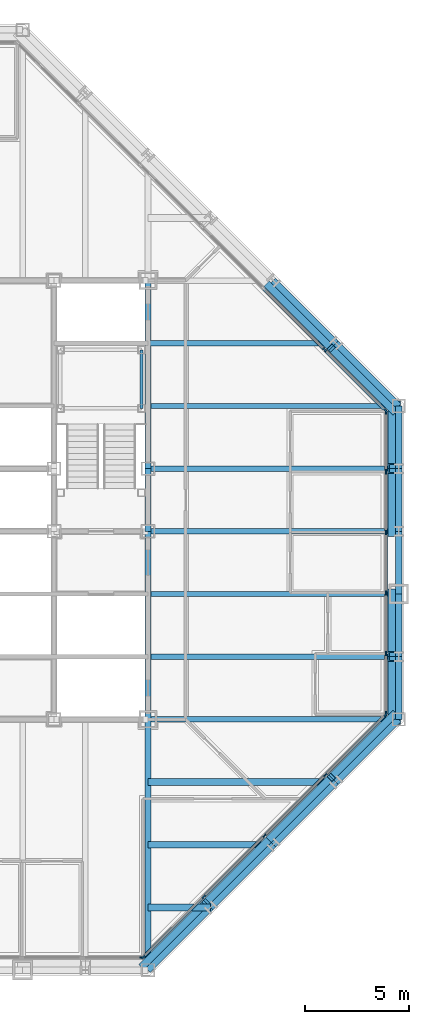
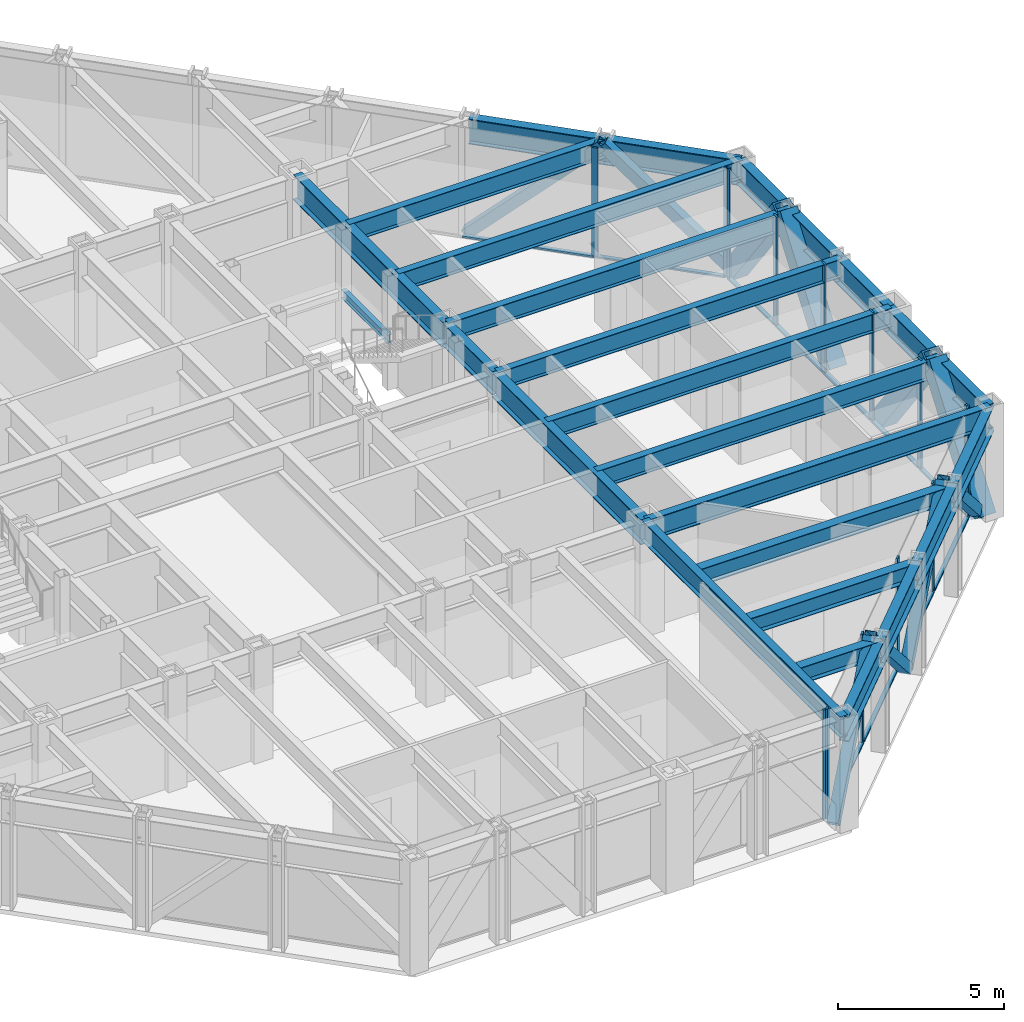
# One storey, part 6 of 15: 35 members, 26 beams, 4 elements without a shape of their own.
"""IFC4 building model written with IfcOpenShell, lengths in metres."""

from ifc_helpers import new_model, si_unit, direction, frame, origin, origin_2d, place, context, subcontext, project, spatial, rectangle, hollow_rectangle, i_section, extrude, material, layer, layer_set, material_profile, profile_set, type_object, element, aggregate, save


model = new_model("IFC4")

# Units and contexts
model_context = context("Model", 3, precision=1e-05, world=origin(), true_north=direction((0.0, 1.0)))
body_context = subcontext(model_context, "Body", "Model", "MODEL_VIEW")
ifc_project = project(units=[si_unit("LENGTHUNIT", "METRE"), si_unit("AREAUNIT", "SQUARE_METRE"), si_unit("VOLUMEUNIT", "CUBIC_METRE"), si_unit("PLANEANGLEUNIT", "RADIAN"), si_unit("MASSUNIT", "GRAM", prefix="KILO")], contexts=[model_context])

# Site, building, storey
site_placement = place(None, origin())
site = spatial("IfcSite", under=ifc_project, at=site_placement, CompositionType="ELEMENT")
building_placement = place(site_placement, origin())
building = spatial("IfcBuilding", under=site, at=building_placement, Name="Chuquiago Exchange Tower", CompositionType="ELEMENT")
storey_placement = place(building_placement, frame((0.0, 0.0, 184.5)))
storey = spatial("IfcBuildingStorey", under=building, at=storey_placement, Name="L40", CompositionType="ELEMENT", Elevation=184.5)

# Beams
ifc_material_1 = material(Name="Steel ASTM A992", Category="steel")
ifc_material_profile_1 = material_profile(ifc_material_1, i_section(OverallWidth=0.25390625, OverallDepth=0.683349609375, WebThickness=0.012451171875, FlangeThickness=0.018798828125, at=origin_2d()), Name="W27X94")
ifc_profile_set_1 = profile_set([ifc_material_profile_1], Name="Steel ASTM A992")
beam_type_1 = type_object("IfcBeamType", Name="B1 W27X94", PredefinedType="BEAM", material=ifc_profile_set_1)
for number, where, z_axis, x_axis, name in (
    (1, (33.0, 15.0, 3.698486328125), (1.0, 0.0, 0.0), (0.0, 1.0, 0.0), "FB-L41-infill-33_15-45_15-0"),
    (2, (33.0, 18.0, 3.698486328125), (1.0, 0.0, 0.0), (0.0, 1.0, 0.0), "FB-L41-infill-33_18-45_18-0"),
    (3, (33.0, 21.0, 3.698486328125), (1.0, 0.0, 0.0), (0.0, 1.0, 0.0), "FB-L41-infill-33_21-45_21-0"),
    (4, (33.0, 24.0, 3.698486328125), (1.0, 0.0, 0.0), (0.0, 1.0, 0.0), "FB-L41-infill-33_24-45_24-0"),
    (5, (33.0, 27.0, 3.698486328125), (1.0, 0.0, 0.0), (0.0, 1.0, 0.0), "FB-L41-infill-33_27-45_27-0"),
):
    element("IfcBeam", number, at=place(storey_placement, frame(where, z_axis=z_axis, x_axis=x_axis)), inside=storey, type_object=beam_type_1, Name=name, PredefinedType="BEAM", context=body_context, shape_type="SweptSolid", body=[
        extrude(i_section(OverallWidth=0.25390625, OverallDepth=0.683349609375, WebThickness=0.012451171875, FlangeThickness=0.018798828125, at=origin_2d()), origin(), (0.0, 0.0, 1.0), 12.0),
    ])
beam_1_placement = place(storey_placement, frame((33.0, 30.0, 3.698486328125), z_axis=(1.0, 0.0, 0.0), x_axis=(0.0, 1.0, 0.0)))
element("IfcBeam", 6, at=beam_1_placement, inside=storey, type_object=beam_type_1, Name="FB-L41-infill-33_30-42_30-0", PredefinedType="BEAM", context=body_context, shape_type="SweptSolid", body=[
    extrude(i_section(OverallWidth=0.25390625, OverallDepth=0.683349609375, WebThickness=0.012451171875, FlangeThickness=0.018798828125, at=origin_2d()), origin(), (0.0, 0.0, 1.0), 9.0),
])
ifc_material_2 = material(Name="Steel ASTM A992", Category="steel")
ifc_material_profile_2 = material_profile(ifc_material_2, i_section(OverallWidth=0.307373046875, OverallDepth=0.927001953125, WebThickness=0.01953125, FlangeThickness=0.031982421875, at=origin_2d()), Name="W36X194")
ifc_profile_set_2 = profile_set([ifc_material_profile_2], Name="Steel ASTM A992")
beam_type_2 = type_object("IfcBeamType", Name="B10 W36X194", PredefinedType="BEAM", material=ifc_profile_set_2)
for number, where, z_axis, x_axis, name in (
    (7, (33.0, 12.0, 3.576416015625), (0.0, 1.0, 0.0), (-1.0, 0.0, 0.0), "CB-L41-33_12-33_21"),
    (8, (33.0, 24.0, 3.576416015625), (0.0, 1.0, 0.0), (-1.0, 0.0, 0.0), "CB-L41-33_24-33_33"),
):
    element("IfcBeam", number, at=place(storey_placement, frame(where, z_axis=z_axis, x_axis=x_axis)), inside=storey, type_object=beam_type_2, Name=name, PredefinedType="BEAM", context=body_context, shape_type="SweptSolid", body=[
        extrude(i_section(OverallWidth=0.307373046875, OverallDepth=0.927001953125, WebThickness=0.01953125, FlangeThickness=0.031982421875, at=origin_2d()), origin(), (0.0, 0.0, 1.0), 9.0),
    ])
ifc_material_3 = material(Name="Steel ASTM A992", Category="steel")
ifc_material_profile_3 = material_profile(ifc_material_3, i_section(OverallWidth=0.3251953125, OverallDepth=0.612060546875, WebThickness=0.0126953125, FlangeThickness=0.01904296875, at=origin_2d()), Name="W24X104")
ifc_profile_set_3 = profile_set([ifc_material_profile_3], Name="Steel ASTM A992")
beam_type_3 = type_object("IfcBeamType", Name="B2 W24X104", PredefinedType="BEAM", material=ifc_profile_set_3)
beam_2_placement = place(storey_placement, frame((33.0, 3.0, 3.73388671875), z_axis=(1.0, 0.0, 0.0), x_axis=(0.0, 1.0, 0.0)))
element("IfcBeam", 9, at=beam_2_placement, inside=storey, type_object=beam_type_3, Name="FB-L41-corner-33_3-36_3-0", PredefinedType="BEAM", context=body_context, shape_type="SweptSolid", body=[
    extrude(i_section(OverallWidth=0.3251953125, OverallDepth=0.612060546875, WebThickness=0.0126953125, FlangeThickness=0.01904296875, at=origin_2d()), origin(), (0.0, 0.0, 1.0), 3.0),
])
beam_3_placement = place(storey_placement, frame((33.0, 6.0, 3.73388671875), z_axis=(1.0, 0.0, 0.0), x_axis=(0.0, 1.0, 0.0)))
element("IfcBeam", 10, at=beam_3_placement, inside=storey, type_object=beam_type_3, Name="FB-L41-corner-33_6-39_6-0", PredefinedType="BEAM", context=body_context, shape_type="SweptSolid", body=[
    extrude(i_section(OverallWidth=0.3251953125, OverallDepth=0.612060546875, WebThickness=0.0126953125, FlangeThickness=0.01904296875, at=origin_2d()), origin(), (0.0, 0.0, 1.0), 6.0),
])
beam_4_placement = place(storey_placement, frame((33.0, 9.0, 3.73388671875), z_axis=(1.0, 0.0, 0.0), x_axis=(0.0, 1.0, 0.0)))
element("IfcBeam", 11, at=beam_4_placement, inside=storey, type_object=beam_type_3, Name="FB-L41-corner-33_9-42_9-0", PredefinedType="BEAM", context=body_context, shape_type="SweptSolid", body=[
    extrude(i_section(OverallWidth=0.3251953125, OverallDepth=0.612060546875, WebThickness=0.0126953125, FlangeThickness=0.01904296875, at=origin_2d()), origin(), (0.0, 0.0, 1.0), 9.0),
])
ifc_material_4 = material(Name="Steel ASTM A992", Category="steel")
ifc_material_profile_4 = material_profile(ifc_material_4, i_section(OverallWidth=0.2919921875, OverallDepth=0.8583984375, WebThickness=0.01708984375, FlangeThickness=0.031005859375, at=origin_2d()), Name="W33X169")
ifc_profile_set_4 = profile_set([ifc_material_profile_4], Name="Steel ASTM A992")
beam_type_4 = type_object("IfcBeamType", Name="B3 W33X169", PredefinedType="BEAM", material=ifc_profile_set_4)
beam_5_placement = place(storey_placement, frame((33.0, 21.0, 3.610595703125), z_axis=(0.0, 1.0, 0.0), x_axis=(-1.0, 0.0, 0.0)))
element("IfcBeam", 12, at=beam_5_placement, inside=storey, type_object=beam_type_4, Name="CB-L41-33_21-33_24", PredefinedType="BEAM", context=body_context, shape_type="SweptSolid", body=[
    extrude(i_section(OverallWidth=0.2919921875, OverallDepth=0.8583984375, WebThickness=0.01708984375, FlangeThickness=0.031005859375, at=origin_2d()), origin(), (0.0, 0.0, 1.0), 3.0),
])

# Curtain wall, member
ifc_material_5 = material(Name="Aluminium curtain wall system", Category="aluminium")
ifc_layer_1 = layer(ifc_material_5, 0.22509765625)
ifc_layer_set_1 = layer_set([ifc_layer_1], Name="CW2 office curtain wall")
curtain_wall_type_1 = type_object("IfcCurtainWallType", Name="CW2 office curtain wall", PredefinedType="NOTDEFINED", material=ifc_layer_set_1)
curtain_wall_1_placement = place(storey_placement, origin())
curtain_wall_1 = element("IfcCurtainWall", 13, at=curtain_wall_1_placement, inside=storey, type_object=curtain_wall_type_1, Name="CW2 curtain wall L40", PredefinedType="NOTDEFINED")
ifc_material_6 = material(Name="Aluminium mullion, pale anodised", Category="aluminium")
ifc_material_profile_5 = material_profile(ifc_material_6, rectangle(XDim=0.06494140625, YDim=0.22509765625, at=origin_2d()), Name="AL 65x225")
ifc_profile_set_5 = profile_set([ifc_material_profile_5], Name="Aluminium mullion, pale anodised")
member_type_1 = type_object("IfcMemberType", Name="CW2-M mullion 65x225", PredefinedType="MULLION", material=ifc_profile_set_5)
member_1_placement = place(storey_placement, frame((32.718994140625, 0.60009765625, 0.0), z_axis=(0.0, 0.0, 1.0), x_axis=(0.0, 1.0, 0.0)))
member_1 = element("IfcMember", 14, at=member_1_placement, type_object=member_type_1, Name="CW2 mullion 6", PredefinedType="MULLION", context=body_context, shape_type="SweptSolid", body=[
    extrude(rectangle(XDim=0.06494140625, YDim=0.22509765625, at=origin_2d()), origin(), (0.0, 0.0, 1.0), 4.0400390625),
])
aggregate(curtain_wall_1, [member_1])

# Curtain wall, members
curtain_wall_2_placement = place(storey_placement, origin())
curtain_wall_2 = element("IfcCurtainWall", 15, at=curtain_wall_2_placement, inside=storey, type_object=curtain_wall_type_1, Name="CW2 curtain wall L40", PredefinedType="NOTDEFINED")
member_2_placement = place(storey_placement, frame((44.39990234375, 12.281005859375, 0.0), z_axis=(0.0, 0.0, 1.0), x_axis=(-1.0, 0.0, 0.0)))
member_2 = element("IfcMember", 16, at=member_2_placement, type_object=member_type_1, Name="CW2 mullion 1", PredefinedType="MULLION", context=body_context, shape_type="SweptSolid", body=[
    extrude(rectangle(XDim=0.06494140625, YDim=0.22509765625, at=origin_2d()), origin(), (0.0, 0.0, 1.0), 4.0400390625),
])
member_3_placement = place(storey_placement, frame((44.39990234375, 15.149169921875, 0.0), z_axis=(0.0, 0.0, 1.0), x_axis=(-1.0, 0.0, 0.0)))
member_3 = element("IfcMember", 17, at=member_3_placement, type_object=member_type_1, Name="CW2 mullion 2", PredefinedType="MULLION", context=body_context, shape_type="SweptSolid", body=[
    extrude(rectangle(XDim=0.06494140625, YDim=0.22509765625, at=origin_2d()), origin(), (0.0, 0.0, 1.0), 4.0400390625),
])
member_4_placement = place(storey_placement, frame((44.39990234375, 18.0498046875, 0.0), z_axis=(0.0, 0.0, 1.0), x_axis=(-1.0, 0.0, 0.0)))
member_4 = element("IfcMember", 18, at=member_4_placement, type_object=member_type_1, Name="CW2 mullion 3", PredefinedType="MULLION", context=body_context, shape_type="SweptSolid", body=[
    extrude(rectangle(XDim=0.06494140625, YDim=0.22509765625, at=origin_2d()), origin(), (0.0, 0.0, 1.0), 4.0400390625),
])
member_5_placement = place(storey_placement, frame((44.39990234375, 20.9501953125, 0.0), z_axis=(0.0, 0.0, 1.0), x_axis=(-1.0, 0.0, 0.0)))
member_5 = element("IfcMember", 19, at=member_5_placement, type_object=member_type_1, Name="CW2 mullion 4", PredefinedType="MULLION", context=body_context, shape_type="SweptSolid", body=[
    extrude(rectangle(XDim=0.06494140625, YDim=0.22509765625, at=origin_2d()), origin(), (0.0, 0.0, 1.0), 4.0400390625),
])
member_6_placement = place(storey_placement, frame((44.39990234375, 23.850830078125, 0.0), z_axis=(0.0, 0.0, 1.0), x_axis=(-1.0, 0.0, 0.0)))
member_6 = element("IfcMember", 20, at=member_6_placement, type_object=member_type_1, Name="CW2 mullion 5", PredefinedType="MULLION", context=body_context, shape_type="SweptSolid", body=[
    extrude(rectangle(XDim=0.06494140625, YDim=0.22509765625, at=origin_2d()), origin(), (0.0, 0.0, 1.0), 4.0400390625),
])
member_7_placement = place(storey_placement, frame((44.39990234375, 26.718994140625, 0.0), z_axis=(0.0, 0.0, 1.0), x_axis=(-1.0, 0.0, 0.0)))
member_7 = element("IfcMember", 21, at=member_7_placement, type_object=member_type_1, Name="CW2 mullion 6", PredefinedType="MULLION", context=body_context, shape_type="SweptSolid", body=[
    extrude(rectangle(XDim=0.06494140625, YDim=0.22509765625, at=origin_2d()), origin(), (0.0, 0.0, 1.0), 4.0400390625),
])
ifc_material_7 = material(Name="Aluminium transom, pale anodised", Category="aluminium")
ifc_material_profile_6 = material_profile(ifc_material_7, rectangle(XDim=0.139892578125, YDim=0.06494140625, at=origin_2d()), Name="AL 140x65")
ifc_profile_set_6 = profile_set([ifc_material_profile_6], Name="Aluminium transom, pale anodised")
member_type_2 = type_object("IfcMemberType", Name="CW2-T transom 65x140", PredefinedType="MULLION", material=ifc_profile_set_6)
member_8_placement = place(storey_placement, frame((44.39990234375, 12.3134765625, 0.032470703125), z_axis=(0.0, 1.0, 0.0), x_axis=(-1.0, 0.0, 0.0)))
member_8 = element("IfcMember", 22, at=member_8_placement, type_object=member_type_2, Name="CW2 transom 1.1", PredefinedType="MULLION", context=body_context, shape_type="SweptSolid", body=[
    extrude(rectangle(XDim=0.139892578125, YDim=0.06494140625, at=origin_2d()), origin(), (0.0, 0.0, 1.0), 2.80322265625),
])
member_9_placement = place(storey_placement, frame((44.39990234375, 15.181640625, 0.032470703125), z_axis=(0.0, 1.0, 0.0), x_axis=(-1.0, 0.0, 0.0)))
member_9 = element("IfcMember", 23, at=member_9_placement, type_object=member_type_2, Name="CW2 transom 2.1", PredefinedType="MULLION", context=body_context, shape_type="SweptSolid", body=[
    extrude(rectangle(XDim=0.139892578125, YDim=0.06494140625, at=origin_2d()), origin(), (0.0, 0.0, 1.0), 2.83544921875),
])
member_10_placement = place(storey_placement, frame((44.39990234375, 18.082275390625, 0.032470703125), z_axis=(0.0, 1.0, 0.0), x_axis=(-1.0, 0.0, 0.0)))
member_10 = element("IfcMember", 24, at=member_10_placement, type_object=member_type_2, Name="CW2 transom 3.1", PredefinedType="MULLION", context=body_context, shape_type="SweptSolid", body=[
    extrude(rectangle(XDim=0.139892578125, YDim=0.06494140625, at=origin_2d()), origin(), (0.0, 0.0, 1.0), 2.83544921875),
])
member_11_placement = place(storey_placement, frame((44.39990234375, 20.98291015625, 0.032470703125), z_axis=(0.0, 1.0, 0.0), x_axis=(-1.0, 0.0, 0.0)))
member_11 = element("IfcMember", 25, at=member_11_placement, type_object=member_type_2, Name="CW2 transom 4.1", PredefinedType="MULLION", context=body_context, shape_type="SweptSolid", body=[
    extrude(rectangle(XDim=0.139892578125, YDim=0.06494140625, at=origin_2d()), origin(), (0.0, 0.0, 1.0), 2.83544921875),
])
member_12_placement = place(storey_placement, frame((44.39990234375, 23.88330078125, 0.032470703125), z_axis=(0.0, 1.0, 0.0), x_axis=(-1.0, 0.0, 0.0)))
member_12 = element("IfcMember", 26, at=member_12_placement, type_object=member_type_2, Name="CW2 transom 5.1", PredefinedType="MULLION", context=body_context, shape_type="SweptSolid", body=[
    extrude(rectangle(XDim=0.139892578125, YDim=0.06494140625, at=origin_2d()), origin(), (0.0, 0.0, 1.0), 2.80322265625),
])
aggregate(curtain_wall_2, [member_2, member_3, member_4, member_5, member_6, member_7, member_8, member_9, member_10, member_11, member_12])

ifc_material_8 = material(Name="Aluminium curtain wall system", Category="aluminium")
ifc_layer_2 = layer(ifc_material_8, 0.199951171875)
ifc_layer_set_2 = layer_set([ifc_layer_2], Name="CW3 facet curtain wall")
curtain_wall_type_2 = type_object("IfcCurtainWallType", Name="CW3 facet curtain wall", PredefinedType="NOTDEFINED", material=ifc_layer_set_2)
curtain_wall_3_placement = place(storey_placement, origin())
curtain_wall_3 = element("IfcCurtainWall", 27, at=curtain_wall_3_placement, inside=storey, type_object=curtain_wall_type_2, Name="CW3 curtain wall L40", PredefinedType="NOTDEFINED")
ifc_material_9 = material(Name="Aluminium mullion, pale anodised", Category="aluminium")
ifc_material_profile_7 = material_profile(ifc_material_9, rectangle(XDim=0.06494140625, YDim=0.199951171875, at=origin_2d()), Name="AL 65x200")
ifc_profile_set_7 = profile_set([ifc_material_profile_7], Name="Aluminium mullion, pale anodised")
member_type_3 = type_object("IfcMemberType", Name="CW3-M mullion 65x200", PredefinedType="MULLION", material=ifc_profile_set_7)
member_13_placement = place(storey_placement, frame((32.7744140625, 0.623046875, 0.0), z_axis=(0.0, 0.0, 1.0), x_axis=(-0.707106781187, 0.707106781187, 0.0)))
member_13 = element("IfcMember", 28, at=member_13_placement, type_object=member_type_3, Name="CW3 mullion 1", PredefinedType="MULLION", context=body_context, shape_type="SweptSolid", body=[
    extrude(rectangle(XDim=0.06494140625, YDim=0.199951171875, at=origin_2d()), origin(), (0.0, 0.0, 1.0), 4.0400390625),
])
member_14_placement = place(storey_placement, frame((35.66357421875, 3.51220703125, 0.0), z_axis=(0.0, 0.0, 1.0), x_axis=(-0.707106781187, 0.707106781187, 0.0)))
member_14 = element("IfcMember", 29, at=member_14_placement, type_object=member_type_3, Name="CW3 mullion 2", PredefinedType="MULLION", context=body_context, shape_type="SweptSolid", body=[
    extrude(rectangle(XDim=0.06494140625, YDim=0.199951171875, at=origin_2d()), origin(), (0.0, 0.0, 1.0), 4.0400390625),
])
member_15_placement = place(storey_placement, frame((38.57568359375, 6.42431640625, 0.0), z_axis=(0.0, 0.0, 1.0), x_axis=(-0.707106781187, 0.707106781187, 0.0)))
member_15 = element("IfcMember", 30, at=member_15_placement, type_object=member_type_3, Name="CW3 mullion 3", PredefinedType="MULLION", context=body_context, shape_type="SweptSolid", body=[
    extrude(rectangle(XDim=0.06494140625, YDim=0.199951171875, at=origin_2d()), origin(), (0.0, 0.0, 1.0), 4.0400390625),
])
member_16_placement = place(storey_placement, frame((41.48779296875, 9.33642578125, 0.0), z_axis=(0.0, 0.0, 1.0), x_axis=(-0.707106781187, 0.707106781187, 0.0)))
member_16 = element("IfcMember", 31, at=member_16_placement, type_object=member_type_3, Name="CW3 mullion 4", PredefinedType="MULLION", context=body_context, shape_type="SweptSolid", body=[
    extrude(rectangle(XDim=0.06494140625, YDim=0.199951171875, at=origin_2d()), origin(), (0.0, 0.0, 1.0), 4.0400390625),
])
member_17_placement = place(storey_placement, frame((44.376953125, 12.2255859375, 0.0), z_axis=(0.0, 0.0, 1.0), x_axis=(-0.707106781187, 0.707106781187, 0.0)))
member_17 = element("IfcMember", 32, at=member_17_placement, type_object=member_type_3, Name="CW3 mullion 5", PredefinedType="MULLION", context=body_context, shape_type="SweptSolid", body=[
    extrude(rectangle(XDim=0.06494140625, YDim=0.199951171875, at=origin_2d()), origin(), (0.0, 0.0, 1.0), 4.0400390625),
])

curtain_wall_4_placement = place(storey_placement, origin())
curtain_wall_4 = element("IfcCurtainWall", 33, at=curtain_wall_4_placement, inside=storey, type_object=curtain_wall_type_2, Name="CW3 curtain wall L40", PredefinedType="NOTDEFINED")
member_18_placement = place(storey_placement, frame((44.376953125, 26.7744140625, 0.0), z_axis=(0.0, 0.0, 1.0), x_axis=(-0.707106781187, -0.707106781187, 0.0)))
member_18 = element("IfcMember", 34, at=member_18_placement, type_object=member_type_3, Name="CW3 mullion 1", PredefinedType="MULLION", context=body_context, shape_type="SweptSolid", body=[
    extrude(rectangle(XDim=0.06494140625, YDim=0.199951171875, at=origin_2d()), origin(), (0.0, 0.0, 1.0), 4.0400390625),
])
member_19_placement = place(storey_placement, frame((41.45849609375, 29.69287109375, 0.0), z_axis=(0.0, 0.0, 1.0), x_axis=(-0.707106781187, -0.707106781187, 0.0)))
member_19 = element("IfcMember", 35, at=member_19_placement, type_object=member_type_3, Name="CW3 mullion 2", PredefinedType="MULLION", context=body_context, shape_type="SweptSolid", body=[
    extrude(rectangle(XDim=0.06494140625, YDim=0.199951171875, at=origin_2d()), origin(), (0.0, 0.0, 1.0), 4.0400390625),
])

# Member
ifc_material_10 = material(Name="Aluminium transom, pale anodised", Category="aluminium")
ifc_material_profile_8 = material_profile(ifc_material_10, rectangle(XDim=0.139892578125, YDim=0.06494140625, at=origin_2d()), Name="AL 140x65")
ifc_profile_set_8 = profile_set([ifc_material_profile_8], Name="Aluminium transom, pale anodised")
member_type_4 = type_object("IfcMemberType", Name="CW3-T transom 65x140", PredefinedType="MULLION", material=ifc_profile_set_8)
member_20_placement = place(storey_placement, frame((32.79736328125, 0.64599609375, 0.032470703125), z_axis=(0.707106781187, 0.707106781187, 0.0), x_axis=(-0.707106781187, 0.707106781187, 0.0)))
member_20 = element("IfcMember", 36, at=member_20_placement, type_object=member_type_4, Name="CW3 transom 1.1", PredefinedType="MULLION", context=body_context, shape_type="SweptSolid", body=[
    extrude(rectangle(XDim=0.139892578125, YDim=0.06494140625, at=origin_2d()), origin(), (0.0, 0.0, 1.0), 4.02099609375),
])

member_21_placement = place(storey_placement, frame((35.6865234375, 3.53515625, 0.032470703125), z_axis=(0.707106781187, 0.707106781187, 0.0), x_axis=(-0.707106781187, 0.707106781187, 0.0)))
member_21 = element("IfcMember", 37, at=member_21_placement, type_object=member_type_4, Name="CW3 transom 2.1", PredefinedType="MULLION", context=body_context, shape_type="SweptSolid", body=[
    extrude(rectangle(XDim=0.139892578125, YDim=0.06494140625, at=origin_2d()), origin(), (0.0, 0.0, 1.0), 4.053466796875),
])

member_22_placement = place(storey_placement, frame((38.5986328125, 6.447265625, 0.032470703125), z_axis=(0.707106781187, 0.707106781187, 0.0), x_axis=(-0.707106781187, 0.707106781187, 0.0)))
member_22 = element("IfcMember", 38, at=member_22_placement, type_object=member_type_4, Name="CW3 transom 3.1", PredefinedType="MULLION", context=body_context, shape_type="SweptSolid", body=[
    extrude(rectangle(XDim=0.139892578125, YDim=0.06494140625, at=origin_2d()), origin(), (0.0, 0.0, 1.0), 4.053466796875),
])

member_23_placement = place(storey_placement, frame((41.5107421875, 9.359375, 0.032470703125), z_axis=(0.707106781187, 0.707106781187, 0.0), x_axis=(-0.707106781187, 0.707106781187, 0.0)))
member_23 = element("IfcMember", 39, at=member_23_placement, type_object=member_type_4, Name="CW3 transom 4.1", PredefinedType="MULLION", context=body_context, shape_type="SweptSolid", body=[
    extrude(rectangle(XDim=0.139892578125, YDim=0.06494140625, at=origin_2d()), origin(), (0.0, 0.0, 1.0), 4.02099609375),
])

aggregate(curtain_wall_3, [member_13, member_14, member_15, member_16, member_17, member_20, member_21, member_22, member_23])

member_24_placement = place(storey_placement, frame((44.35400390625, 26.79736328125, 0.032470703125), z_axis=(-0.707106781187, 0.707106781187, 0.0), x_axis=(-0.707106781187, -0.707106781187, 0.0)))
member_24 = element("IfcMember", 40, at=member_24_placement, type_object=member_type_4, Name="CW3 transom 1.1", PredefinedType="MULLION", context=body_context, shape_type="SweptSolid", body=[
    extrude(rectangle(XDim=0.139892578125, YDim=0.06494140625, at=origin_2d()), origin(), (0.0, 0.0, 1.0), 4.0625),
])

member_25_placement = place(storey_placement, frame((41.435546875, 29.7158203125, 0.032470703125), z_axis=(-0.707106781187, 0.707106781187, 0.0), x_axis=(-0.707106781187, -0.707106781187, 0.0)))
member_25 = element("IfcMember", 41, at=member_25_placement, type_object=member_type_4, Name="CW3 transom 2.1", PredefinedType="MULLION", context=body_context, shape_type="SweptSolid", body=[
    extrude(rectangle(XDim=0.139892578125, YDim=0.06494140625, at=origin_2d()), origin(), (0.0, 0.0, 1.0), 4.094970703125),
])

aggregate(curtain_wall_4, [member_18, member_19, member_24, member_25])

# Beams
ifc_material_11 = material(Name="Steel ASTM A992", Category="steel")
ifc_material_profile_9 = material_profile(ifc_material_11, i_section(OverallWidth=0.2666015625, OverallDepth=0.76953125, WebThickness=0.015625, FlangeThickness=0.025390625, at=origin_2d()), Name="W30X132")
ifc_profile_set_9 = profile_set([ifc_material_profile_9], Name="Steel ASTM A992")
beam_type_5 = type_object("IfcBeamType", Name="G1 W30X132", PredefinedType="BEAM", material=ifc_profile_set_9)
for number, where, z_axis, x_axis, name in (
    (42, (33.0, 12.0, 3.6552734375), (0.0, -1.0, 0.0), (1.0, 0.0, 0.0), "FB-L41-girder-33_12-33_-0-0"),
    (43, (33.0, 12.0, 3.6552734375), (1.0, 0.0, 0.0), (0.0, 1.0, 0.0), "FB-L41-girder-33_12-45_12-0"),
):
    element("IfcBeam", number, at=place(storey_placement, frame(where, z_axis=z_axis, x_axis=x_axis)), inside=storey, type_object=beam_type_5, Name=name, PredefinedType="BEAM", context=body_context, shape_type="SweptSolid", body=[
        extrude(i_section(OverallWidth=0.2666015625, OverallDepth=0.76953125, WebThickness=0.015625, FlangeThickness=0.025390625, at=origin_2d()), origin(), (0.0, 0.0, 1.0), 12.0),
    ])

# Members
ifc_material_12 = material(Name="Steel ASTM A500 Grade C", Category="steel")
ifc_material_profile_10 = material_profile(ifc_material_12, hollow_rectangle(XDim=0.355712890625, YDim=0.355712890625, WallThickness=0.0146484375, at=origin_2d()), Name="HSS14X14X5/8")
ifc_profile_set_10 = profile_set([ifc_material_profile_10], Name="Steel ASTM A500 Grade C")
member_type_5 = type_object("IfcMemberType", Name="LB2 HSS14X14X5/8", PredefinedType="BRACE", material=ifc_profile_set_10)
for number, where, z_axis, x_axis, name in (
    (44, (32.7685546875, 0.2314453125, 0.0), (0.512077265487, 0.512077265487, 0.689604051861), (-0.707106781187, 0.707106781187, 0.0), "LB-L40-33_0-36_3"),
    (45, (38.7685546875, 6.2314453125, 0.0), (-0.512077265487, -0.512077265487, 0.689604051861), (0.707106781187, -0.707106781187, 0.0), "LB-L40-36_3-39_6"),
    (46, (38.7685546875, 6.2314453125, 0.0), (0.512077265487, 0.512077265487, 0.689604051861), (-0.707106781187, 0.707106781187, 0.0), "LB-L40-39_6-42_9"),
    (47, (44.7685546875, 12.2314453125, 0.0), (-0.512077265487, -0.512077265487, 0.689604051861), (0.707106781187, -0.707106781187, 0.0), "LB-L40-42_9-45_12"),
    (48, (44.7685546875, 26.7685546875, 0.0), (-0.512077265487, 0.512077265487, 0.689604051861), (-0.707106781187, -0.707106781187, 0.0), "LB-L40-45_27-42_30"),
    (49, (38.7685546875, 32.7685546875, 0.0), (0.512077265487, -0.512077265487, 0.689604051861), (0.707106781187, 0.707106781187, 0.0), "LB-L40-42_30-39_33"),
):
    element("IfcMember", number, at=place(storey_placement, frame(where, z_axis=z_axis, x_axis=x_axis)), inside=storey, type_object=member_type_5, Name=name, PredefinedType="BRACE", context=body_context, shape_type="SweptSolid", body=[
        extrude(hollow_rectangle(XDim=0.355712890625, YDim=0.355712890625, WallThickness=0.0146484375, at=origin_2d()), origin(), (0.0, 0.0, 1.0), 5.8583984375),
    ])

# Beam
ifc_material_13 = material(Name="Steel ASTM A992", Category="steel")
ifc_material_profile_11 = material_profile(ifc_material_13, i_section(OverallWidth=0.164794921875, OverallDepth=0.309814453125, WebThickness=0.005859375, FlangeThickness=0.009765625, at=origin_2d()), Name="W12X26")
ifc_profile_set_11 = profile_set([ifc_material_profile_11], Name="Steel ASTM A992")
beam_type_6 = type_object("IfcBeamType", Name="LS1 W12X26", PredefinedType="BEAM", material=ifc_profile_set_11)
beam_6_placement = place(storey_placement, frame((32.68994140625, 26.889892578125, 1.7451171875), z_axis=(0.0, 1.0, 0.0), x_axis=(-1.0, 0.0, 0.0)))
element("IfcBeam", 50, at=beam_6_placement, inside=storey, type_object=beam_type_6, Name="Stair ST2 L40 landing 1 stringer", PredefinedType="BEAM", context=body_context, shape_type="SweptSolid", body=[
    extrude(i_section(OverallWidth=0.164794921875, OverallDepth=0.309814453125, WebThickness=0.005859375, FlangeThickness=0.009765625, at=origin_2d()), origin(), (0.0, 0.0, 1.0), 2.800048828125),
])

# Members
ifc_material_14 = material(Name="Steel ASTM A572 Grade 50", Category="steel")
ifc_material_profile_12 = material_profile(ifc_material_14, hollow_rectangle(XDim=0.60009765625, YDim=0.60009765625, WallThickness=0.06005859375, at=origin_2d()), Name="BOX600X600X60")
ifc_profile_set_12 = profile_set([ifc_material_profile_12], Name="Steel ASTM A572 Grade 50")
member_type_6 = type_object("IfcMemberType", Name="MB3 BOX600X600X60", PredefinedType="BRACE", material=ifc_profile_set_12)
for number, where, z_axis, x_axis, name in (
    (51, (44.794921875, 12.0, 0.0), (0.0, 0.596173923302, 0.802855312728), (-1.0, 0.0, 0.0), "Mega diagonal L40 E face"),
    (52, (44.794921875, 18.0, 0.0), (0.0, -0.596173923302, 0.802855312728), (1.0, 0.0, 0.0), "Mega diagonal L40 E face"),
    (53, (44.794921875, 21.0, 0.0), (0.0, 0.596173923302, 0.802855312728), (-1.0, 0.0, 0.0), "Mega diagonal L40 E face"),
    (54, (44.794921875, 27.0, 0.0), (0.0, -0.596173923302, 0.802855312728), (1.0, 0.0, 0.0), "Mega diagonal L40 E face"),
):
    element("IfcMember", number, at=place(storey_placement, frame(where, z_axis=z_axis, x_axis=x_axis)), inside=storey, type_object=member_type_6, Name=name, PredefinedType="BRACE", context=body_context, shape_type="SweptSolid", body=[
        extrude(hollow_rectangle(XDim=0.60009765625, YDim=0.60009765625, WallThickness=0.06005859375, at=origin_2d()), origin(), (0.0, 0.0, 1.0), 5.031982421875),
    ])

# Beams
ifc_material_15 = material(Name="Steel ASTM A992", Category="steel")
ifc_material_profile_13 = material_profile(ifc_material_15, i_section(OverallWidth=0.307373046875, OverallDepth=0.927001953125, WebThickness=0.01953125, FlangeThickness=0.031982421875, at=origin_2d()), Name="W36X194")
ifc_profile_set_13 = profile_set([ifc_material_profile_13], Name="Steel ASTM A992")
beam_type_7 = type_object("IfcBeamType", Name="SP3 W36X194", PredefinedType="SPANDREL", material=ifc_profile_set_13)
for number, where, z_axis, x_axis, name in (
    (55, (33.0, 0.0, 3.576416015625), (0.707106781187, 0.707106781187, 0.0), (-0.707106781187, 0.707106781187, 0.0), "SPB-L41-33_0-36_3"),
    (56, (36.0, 3.0, 3.576416015625), (0.707106781187, 0.707106781187, 0.0), (-0.707106781187, 0.707106781187, 0.0), "SPB-L41-36_3-39_6"),
    (57, (39.0, 6.0, 3.576416015625), (0.707106781187, 0.707106781187, 0.0), (-0.707106781187, 0.707106781187, 0.0), "SPB-L41-39_6-42_9"),
    (58, (42.0, 9.0, 3.576416015625), (0.707106781187, 0.707106781187, 0.0), (-0.707106781187, 0.707106781187, 0.0), "SPB-L41-42_9-45_12"),
):
    element("IfcBeam", number, at=place(storey_placement, frame(where, z_axis=z_axis, x_axis=x_axis)), inside=storey, type_object=beam_type_7, Name=name, PredefinedType="SPANDREL", context=body_context, shape_type="SweptSolid", body=[
        extrude(i_section(OverallWidth=0.307373046875, OverallDepth=0.927001953125, WebThickness=0.01953125, FlangeThickness=0.031982421875, at=origin_2d()), origin(), (0.0, 0.0, 1.0), 4.24267578125),
    ])
for number, where, z_axis, x_axis, name in (
    (59, (45.0, 12.0, 3.576416015625), (0.0, 1.0, 0.0), (-1.0, 0.0, 0.0), "SPB-L41-45_12-45_15"),
    (60, (45.0, 15.0, 3.576416015625), (0.0, 1.0, 0.0), (-1.0, 0.0, 0.0), "SPB-L41-45_15-45_18"),
    (61, (45.0, 18.0, 3.576416015625), (0.0, 1.0, 0.0), (-1.0, 0.0, 0.0), "SPB-L41-45_18-45_21"),
    (62, (45.0, 21.0, 3.576416015625), (0.0, 1.0, 0.0), (-1.0, 0.0, 0.0), "SPB-L41-45_21-45_24"),
    (63, (45.0, 24.0, 3.576416015625), (0.0, 1.0, 0.0), (-1.0, 0.0, 0.0), "SPB-L41-45_24-45_27"),
):
    element("IfcBeam", number, at=place(storey_placement, frame(where, z_axis=z_axis, x_axis=x_axis)), inside=storey, type_object=beam_type_7, Name=name, PredefinedType="SPANDREL", context=body_context, shape_type="SweptSolid", body=[
        extrude(i_section(OverallWidth=0.307373046875, OverallDepth=0.927001953125, WebThickness=0.01953125, FlangeThickness=0.031982421875, at=origin_2d()), origin(), (0.0, 0.0, 1.0), 3.0),
    ])
for number, where, z_axis, x_axis, name in (
    (64, (45.0, 27.0, 3.576416015625), (-0.707106781187, 0.707106781187, 0.0), (-0.707106781187, -0.707106781187, 0.0), "SPB-L41-45_27-42_30"),
    (65, (42.0, 30.0, 3.576416015625), (-0.707106781187, 0.707106781187, 0.0), (-0.707106781187, -0.707106781187, 0.0), "SPB-L41-42_30-39_33"),
):
    element("IfcBeam", number, at=place(storey_placement, frame(where, z_axis=z_axis, x_axis=x_axis)), inside=storey, type_object=beam_type_7, Name=name, PredefinedType="SPANDREL", context=body_context, shape_type="SweptSolid", body=[
        extrude(i_section(OverallWidth=0.307373046875, OverallDepth=0.927001953125, WebThickness=0.01953125, FlangeThickness=0.031982421875, at=origin_2d()), origin(), (0.0, 0.0, 1.0), 4.24267578125),
    ])

save(model, "model.ifc")
